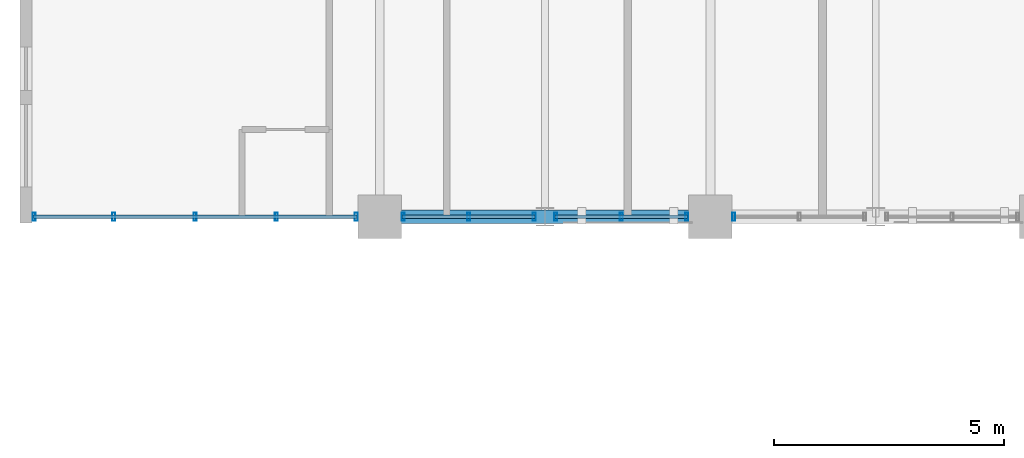
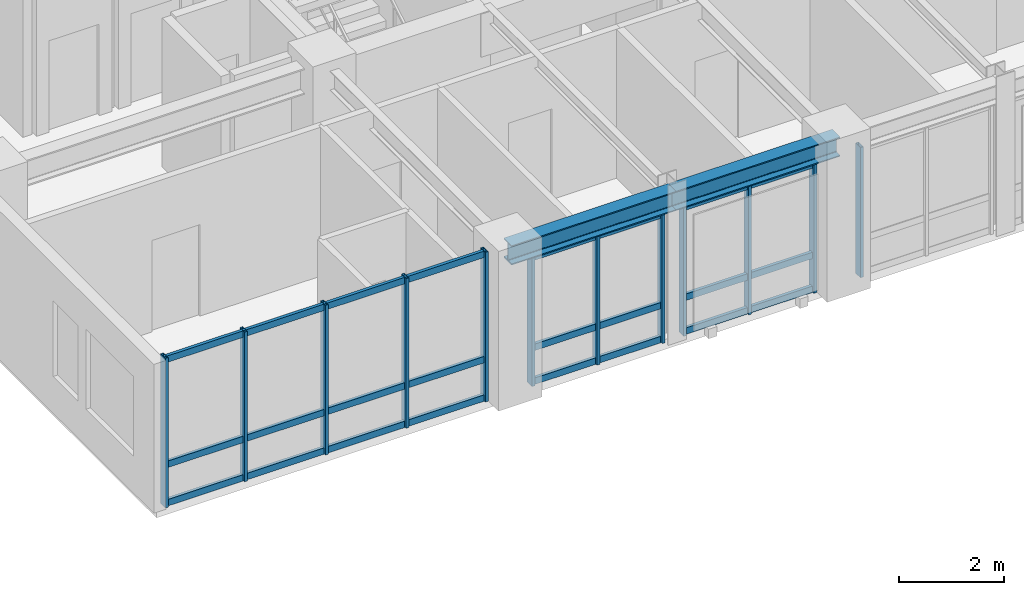
# One storey, part 4 of 16: 21 members, 2 beams, 4 elements without a shape of their own.
"""IFC4 building model written with IfcOpenShell, lengths in metres."""

from ifc_helpers import new_model, si_unit, direction, frame, origin, origin_2d, place, context, subcontext, project, spatial, hollow_rectangle, i_section, extrude, source, transform, mapped, material, layer, layer_set, material_profile, profile_set, type_object, element, aggregate, save


model = new_model("IFC4")

# Units and contexts
model_context = context("Model", 3, precision=1e-05, world=origin(), true_north=direction((0.0, 1.0)))
body_context = subcontext(model_context, "Body", "Model", "MODEL_VIEW")
ifc_project = project(units=[si_unit("LENGTHUNIT", "METRE"), si_unit("AREAUNIT", "SQUARE_METRE"), si_unit("VOLUMEUNIT", "CUBIC_METRE"), si_unit("PLANEANGLEUNIT", "RADIAN"), si_unit("MASSUNIT", "GRAM", prefix="KILO")], contexts=[model_context])

# Site, building, storey
site_placement = place(None, origin())
site = spatial("IfcSite", under=ifc_project, at=site_placement, CompositionType="ELEMENT")
building_placement = place(site_placement, origin())
building = spatial("IfcBuilding", under=site, at=building_placement, Name="Kaliganga Portal Commons", CompositionType="ELEMENT")
storey_placement = place(building_placement, frame((0.0, 0.0, 205.5)))
storey = spatial("IfcBuildingStorey", under=building, at=storey_placement, Name="L52", CompositionType="ELEMENT", Elevation=205.5)

# Beams
ifc_material_1 = material(Name="Structural steel S355J2", Category="steel")
ifc_material_profile_1 = material_profile(ifc_material_1, i_section(OverallWidth=0.300048828125, OverallDepth=0.449951171875, WebThickness=0.013916015625, FlangeThickness=0.02587890625, FilletRadius=0.027099609375, at=origin_2d()), Name="HE 450 B")
ifc_profile_set_1 = profile_set([ifc_material_profile_1], Name="Structural steel S355J2 wide-flange")
beam_type = type_object("IfcBeamType", Name="BM-SPAND-450", PredefinedType="SPANDREL", material=ifc_profile_set_1)
shared_shape_1 = source(origin(), body_context, "Body", "SweptSolid", [
    extrude(i_section(OverallWidth=0.300048828125, OverallDepth=0.449951171875, WebThickness=0.013916015625, FlangeThickness=0.02587890625, FilletRadius=0.027099609375, at=origin_2d()), origin(), (0.0, 0.0, 1.0), 3.60009765625),
])
for number, where, z_axis, x_axis, name in (
    (1, (14.39990234375, 21.60009765625, 3.2451171875), (1.0, 0.0, 0.0), (0.0, 1.0, 0.0), "BM SP L52 AS 1"),
    (2, (18.0, 21.60009765625, 3.2451171875), (1.0, 0.0, 0.0), (0.0, 1.0, 0.0), "BM SP L52 AS 2"),
):
    element("IfcBeam", number, at=place(storey_placement, frame(where, z_axis=z_axis, x_axis=x_axis)), inside=storey, type_object=beam_type, Name=name, PredefinedType="SPANDREL", context=body_context, shape_type="MappedRepresentation", body=[
        mapped(shared_shape_1, transform((0.0, 0.0, 0.0), x_axis=(1.0, 0.0, 0.0), y_axis=(0.0, 1.0, 0.0), z_axis=(0.0, 0.0, 1.0), scale=1.0)),
    ])

# Curtain wall, members
ifc_material_2 = material(Name="Anodized Aluminium and Laminated Low-E Glass", Category="aluminium")
ifc_layer = layer(ifc_material_2, 0.2099609375)
ifc_layer_set = layer_set([ifc_layer], Name="Anodized Aluminium and Laminated Low-E Glass")
curtain_wall_type = type_object("IfcCurtainWallType", Name="CW-SYS-03", PredefinedType="NOTDEFINED", material=ifc_layer_set)
curtain_wall_1_placement = place(storey_placement, origin())
curtain_wall_1 = element("IfcCurtainWall", 3, at=curtain_wall_1_placement, inside=storey, type_object=curtain_wall_type, Name="CW 03 L52 P1E04S1", PredefinedType="NOTDEFINED")
ifc_material_3 = material(Name="Dark Bronze Anodized Aluminium", Category="aluminium")
ifc_material_profile_2 = material_profile(ifc_material_3, hollow_rectangle(XDim=0.06494140625, YDim=0.179931640625, WallThickness=0.00390625, at=origin_2d()), Name="ALU MULL 65x180x4")
ifc_profile_set_2 = profile_set([ifc_material_profile_2], Name="Dark Bronze Anodized Aluminium")
member_type_1 = type_object("IfcMemberType", Name="CW-MUL-180", PredefinedType="MULLION", material=ifc_profile_set_2)
shared_shape_2 = source(origin(), body_context, "Body", "SweptSolid", [
    extrude(hollow_rectangle(XDim=0.06494140625, YDim=0.179931640625, WallThickness=0.00390625, at=origin_2d()), origin(), (0.0, 0.0, 1.0), 3.469970703125),
])
member_1_placement = place(storey_placement, frame((6.875, 21.60009765625, 0.0), z_axis=(0.0, 0.0, 1.0), x_axis=(1.0, 0.0, 0.0)))
member_1 = element("IfcMember", 4, at=member_1_placement, type_object=member_type_1, Name="CW:03:L52:P1E04S1 Mullion 00", PredefinedType="MULLION", context=body_context, shape_type="MappedRepresentation", body=[
    mapped(shared_shape_2, transform((0.0, 0.0, 0.0), x_axis=(1.0, 0.0, 0.0), y_axis=(0.0, 1.0, 0.0), z_axis=(0.0, 0.0, 1.0), scale=1.0)),
])
member_2_placement = place(storey_placement, frame((8.611083984375, 21.60009765625, 0.0), z_axis=(0.0, 0.0, 1.0), x_axis=(1.0, 0.0, 0.0)))
member_2 = element("IfcMember", 5, at=member_2_placement, type_object=member_type_1, Name="CW:03:L52:P1E04S1 Mullion 01", PredefinedType="MULLION", context=body_context, shape_type="MappedRepresentation", body=[
    mapped(shared_shape_2, transform((0.0, 0.0, 0.0), x_axis=(1.0, 0.0, 0.0), y_axis=(0.0, 1.0, 0.0), z_axis=(0.0, 0.0, 1.0), scale=1.0)),
])
member_3_placement = place(storey_placement, frame((10.382080078125, 21.60009765625, 0.0), z_axis=(0.0, 0.0, 1.0), x_axis=(1.0, 0.0, 0.0)))
member_3 = element("IfcMember", 6, at=member_3_placement, type_object=member_type_1, Name="CW:03:L52:P1E04S1 Mullion 02", PredefinedType="MULLION", context=body_context, shape_type="MappedRepresentation", body=[
    mapped(shared_shape_2, transform((0.0, 0.0, 0.0), x_axis=(1.0, 0.0, 0.0), y_axis=(0.0, 1.0, 0.0), z_axis=(0.0, 0.0, 1.0), scale=1.0)),
])
member_4_placement = place(storey_placement, frame((12.153076171875, 21.60009765625, 0.0), z_axis=(0.0, 0.0, 1.0), x_axis=(1.0, 0.0, 0.0)))
member_4 = element("IfcMember", 7, at=member_4_placement, type_object=member_type_1, Name="CW:03:L52:P1E04S1 Mullion 03", PredefinedType="MULLION", context=body_context, shape_type="MappedRepresentation", body=[
    mapped(shared_shape_2, transform((0.0, 0.0, 0.0), x_axis=(1.0, 0.0, 0.0), y_axis=(0.0, 1.0, 0.0), z_axis=(0.0, 0.0, 1.0), scale=1.0)),
])
member_5_placement = place(storey_placement, frame((13.888916015625, 21.60009765625, 0.0), z_axis=(0.0, 0.0, 1.0), x_axis=(1.0, 0.0, 0.0)))
member_5 = element("IfcMember", 8, at=member_5_placement, type_object=member_type_1, Name="CW:03:L52:P1E04S1 Mullion 04", PredefinedType="MULLION", context=body_context, shape_type="MappedRepresentation", body=[
    mapped(shared_shape_2, transform((0.0, 0.0, 0.0), x_axis=(1.0, 0.0, 0.0), y_axis=(0.0, 1.0, 0.0), z_axis=(0.0, 0.0, 1.0), scale=1.0)),
])
ifc_material_profile_3 = material_profile(ifc_material_3, hollow_rectangle(XDim=0.070068359375, YDim=0.14990234375, WallThickness=0.00341796875, at=origin_2d()), Name="ALU TRAN 70x150x3.5")
ifc_profile_set_3 = profile_set([ifc_material_profile_3], Name="Dark Bronze Anodized Aluminium")
member_type_2 = type_object("IfcMemberType", Name="CW-TRN-150", PredefinedType="USERDEFINED", material=ifc_profile_set_3)
shared_shape_3 = source(origin(), body_context, "Body", "SweptSolid", [
    extrude(hollow_rectangle(XDim=0.070068359375, YDim=0.14990234375, WallThickness=0.00341796875, at=origin_2d()), origin(), (0.0, 0.0, 1.0), 7.0439453125),
])
member_6_placement = place(storey_placement, frame((6.860107421875, 21.60009765625, 0.06005859375), z_axis=(1.0, 0.0, 0.0), x_axis=(0.0, 1.0, 0.0)))
member_6 = element("IfcMember", 9, at=member_6_placement, type_object=member_type_2, Name="CW:03:L52:P1E04S1 Transom 1", ObjectType="TRANSOM", PredefinedType="USERDEFINED", context=body_context, shape_type="MappedRepresentation", body=[
    mapped(shared_shape_3, transform((0.0, 0.0, 0.0), x_axis=(1.0, 0.0, 0.0), y_axis=(0.0, 1.0, 0.0), z_axis=(0.0, 0.0, 1.0), scale=1.0)),
])
member_7_placement = place(storey_placement, frame((6.860107421875, 21.60009765625, 0.949951171875), z_axis=(1.0, 0.0, 0.0), x_axis=(0.0, 1.0, 0.0)))
member_7 = element("IfcMember", 10, at=member_7_placement, type_object=member_type_2, Name="CW:03:L52:P1E04S1 Transom 2", ObjectType="TRANSOM", PredefinedType="USERDEFINED", context=body_context, shape_type="MappedRepresentation", body=[
    mapped(shared_shape_3, transform((0.0, 0.0, 0.0), x_axis=(1.0, 0.0, 0.0), y_axis=(0.0, 1.0, 0.0), z_axis=(0.0, 0.0, 1.0), scale=1.0)),
])
member_8_placement = place(storey_placement, frame((6.860107421875, 21.60009765625, 3.389892578125), z_axis=(1.0, 0.0, 0.0), x_axis=(0.0, 1.0, 0.0)))
member_8 = element("IfcMember", 11, at=member_8_placement, type_object=member_type_2, Name="CW:03:L52:P1E04S1 Transom 3", ObjectType="TRANSOM", PredefinedType="USERDEFINED", context=body_context, shape_type="MappedRepresentation", body=[
    mapped(shared_shape_3, transform((0.0, 0.0, 0.0), x_axis=(1.0, 0.0, 0.0), y_axis=(0.0, 1.0, 0.0), z_axis=(0.0, 0.0, 1.0), scale=1.0)),
])
aggregate(curtain_wall_1, [member_1, member_2, member_3, member_4, member_5, member_6, member_7, member_8])

curtain_wall_2_placement = place(storey_placement, origin())
curtain_wall_2 = element("IfcCurtainWall", 12, at=curtain_wall_2_placement, inside=storey, type_object=curtain_wall_type, Name="CW 03 L52 P1E04S2", PredefinedType="NOTDEFINED")
shared_shape_4 = source(origin(), body_context, "Body", "SweptSolid", [
    extrude(hollow_rectangle(XDim=0.06494140625, YDim=0.179931640625, WallThickness=0.00390625, at=origin_2d()), origin(), (0.0, 0.0, 1.0), 3.02001953125),
])
member_9_placement = place(storey_placement, frame((14.910888671875, 21.60009765625, 0.0), z_axis=(0.0, 0.0, 1.0), x_axis=(1.0, 0.0, 0.0)))
member_9 = element("IfcMember", 13, at=member_9_placement, type_object=member_type_1, Name="CW:03:L52:P1E04S2 Mullion 00", PredefinedType="MULLION", context=body_context, shape_type="MappedRepresentation", body=[
    mapped(shared_shape_4, transform((0.0, 0.0, 0.0), x_axis=(1.0, 0.0, 0.0), y_axis=(0.0, 1.0, 0.0), z_axis=(0.0, 0.0, 1.0), scale=1.0)),
])
member_10_placement = place(storey_placement, frame((16.337646484375, 21.60009765625, 0.0), z_axis=(0.0, 0.0, 1.0), x_axis=(1.0, 0.0, 0.0)))
member_10 = element("IfcMember", 14, at=member_10_placement, type_object=member_type_1, Name="CW:03:L52:P1E04S2 Mullion 01", PredefinedType="MULLION", context=body_context, shape_type="MappedRepresentation", body=[
    mapped(shared_shape_4, transform((0.0, 0.0, 0.0), x_axis=(1.0, 0.0, 0.0), y_axis=(0.0, 1.0, 0.0), z_axis=(0.0, 0.0, 1.0), scale=1.0)),
])
member_11_placement = place(storey_placement, frame((17.764404296875, 21.60009765625, 0.0), z_axis=(0.0, 0.0, 1.0), x_axis=(1.0, 0.0, 0.0)))
member_11 = element("IfcMember", 15, at=member_11_placement, type_object=member_type_1, Name="CW:03:L52:P1E04S2 Mullion 02", PredefinedType="MULLION", context=body_context, shape_type="MappedRepresentation", body=[
    mapped(shared_shape_4, transform((0.0, 0.0, 0.0), x_axis=(1.0, 0.0, 0.0), y_axis=(0.0, 1.0, 0.0), z_axis=(0.0, 0.0, 1.0), scale=1.0)),
])

curtain_wall_3_placement = place(storey_placement, origin())
curtain_wall_3 = element("IfcCurtainWall", 16, at=curtain_wall_3_placement, inside=storey, type_object=curtain_wall_type, Name="CW 03 L52 P1E04S3", PredefinedType="NOTDEFINED")
member_12_placement = place(storey_placement, frame((18.235595703125, 21.60009765625, 0.0), z_axis=(0.0, 0.0, 1.0), x_axis=(1.0, 0.0, 0.0)))
member_12 = element("IfcMember", 17, at=member_12_placement, type_object=member_type_1, Name="CW:03:L52:P1E04S3 Mullion 00", PredefinedType="MULLION", context=body_context, shape_type="MappedRepresentation", body=[
    mapped(shared_shape_4, transform((0.0, 0.0, 0.0), x_axis=(1.0, 0.0, 0.0), y_axis=(0.0, 1.0, 0.0), z_axis=(0.0, 0.0, 1.0), scale=1.0)),
])
member_13_placement = place(storey_placement, frame((19.662353515625, 21.60009765625, 0.0), z_axis=(0.0, 0.0, 1.0), x_axis=(1.0, 0.0, 0.0)))
member_13 = element("IfcMember", 18, at=member_13_placement, type_object=member_type_1, Name="CW:03:L52:P1E04S3 Mullion 01", PredefinedType="MULLION", context=body_context, shape_type="MappedRepresentation", body=[
    mapped(shared_shape_4, transform((0.0, 0.0, 0.0), x_axis=(1.0, 0.0, 0.0), y_axis=(0.0, 1.0, 0.0), z_axis=(0.0, 0.0, 1.0), scale=1.0)),
])
member_14_placement = place(storey_placement, frame((21.089111328125, 21.60009765625, 0.0), z_axis=(0.0, 0.0, 1.0), x_axis=(1.0, 0.0, 0.0)))
member_14 = element("IfcMember", 19, at=member_14_placement, type_object=member_type_1, Name="CW:03:L52:P1E04S3 Mullion 02", PredefinedType="MULLION", context=body_context, shape_type="MappedRepresentation", body=[
    mapped(shared_shape_4, transform((0.0, 0.0, 0.0), x_axis=(1.0, 0.0, 0.0), y_axis=(0.0, 1.0, 0.0), z_axis=(0.0, 0.0, 1.0), scale=1.0)),
])

# Curtain wall, member
curtain_wall_4_placement = place(storey_placement, origin())
curtain_wall_4 = element("IfcCurtainWall", 20, at=curtain_wall_4_placement, inside=storey, type_object=curtain_wall_type, Name="CW 03 L52 P1E04S4", PredefinedType="NOTDEFINED")
member_15_placement = place(storey_placement, frame((22.111083984375, 21.60009765625, 0.0), z_axis=(0.0, 0.0, 1.0), x_axis=(1.0, 0.0, 0.0)))
member_15 = element("IfcMember", 21, at=member_15_placement, type_object=member_type_1, Name="CW:03:L52:P1E04S4 Mullion 00", PredefinedType="MULLION", context=body_context, shape_type="MappedRepresentation", body=[
    mapped(shared_shape_4, transform((0.0, 0.0, 0.0), x_axis=(1.0, 0.0, 0.0), y_axis=(0.0, 1.0, 0.0), z_axis=(0.0, 0.0, 1.0), scale=1.0)),
])
aggregate(curtain_wall_4, [member_15])

# Member
shared_shape_5 = source(origin(), body_context, "Body", "SweptSolid", [
    extrude(hollow_rectangle(XDim=0.070068359375, YDim=0.14990234375, WallThickness=0.00341796875, at=origin_2d()), origin(), (0.0, 0.0, 1.0), 2.883544921875),
])
member_16_placement = place(storey_placement, frame((14.89599609375, 21.60009765625, 0.06005859375), z_axis=(1.0, 0.0, 0.0), x_axis=(0.0, 1.0, 0.0)))
member_16 = element("IfcMember", 22, at=member_16_placement, type_object=member_type_2, Name="CW:03:L52:P1E04S2 Transom 1", ObjectType="TRANSOM", PredefinedType="USERDEFINED", context=body_context, shape_type="MappedRepresentation", body=[
    mapped(shared_shape_5, transform((0.0, 0.0, 0.0), x_axis=(1.0, 0.0, 0.0), y_axis=(0.0, 1.0, 0.0), z_axis=(0.0, 0.0, 1.0), scale=1.0)),
])

member_17_placement = place(storey_placement, frame((14.89599609375, 21.60009765625, 0.845703125), z_axis=(1.0, 0.0, 0.0), x_axis=(0.0, 1.0, 0.0)))
member_17 = element("IfcMember", 23, at=member_17_placement, type_object=member_type_2, Name="CW:03:L52:P1E04S2 Transom 2", ObjectType="TRANSOM", PredefinedType="USERDEFINED", context=body_context, shape_type="MappedRepresentation", body=[
    mapped(shared_shape_5, transform((0.0, 0.0, 0.0), x_axis=(1.0, 0.0, 0.0), y_axis=(0.0, 1.0, 0.0), z_axis=(0.0, 0.0, 1.0), scale=1.0)),
])

member_18_placement = place(storey_placement, frame((14.89599609375, 21.60009765625, 2.93994140625), z_axis=(1.0, 0.0, 0.0), x_axis=(0.0, 1.0, 0.0)))
member_18 = element("IfcMember", 24, at=member_18_placement, type_object=member_type_2, Name="CW:03:L52:P1E04S2 Transom 3", ObjectType="TRANSOM", PredefinedType="USERDEFINED", context=body_context, shape_type="MappedRepresentation", body=[
    mapped(shared_shape_5, transform((0.0, 0.0, 0.0), x_axis=(1.0, 0.0, 0.0), y_axis=(0.0, 1.0, 0.0), z_axis=(0.0, 0.0, 1.0), scale=1.0)),
])

aggregate(curtain_wall_2, [member_9, member_10, member_11, member_16, member_17, member_18])

member_19_placement = place(storey_placement, frame((18.220458984375, 21.60009765625, 0.06005859375), z_axis=(1.0, 0.0, 0.0), x_axis=(0.0, 1.0, 0.0)))
member_19 = element("IfcMember", 25, at=member_19_placement, type_object=member_type_2, Name="CW:03:L52:P1E04S3 Transom 1", ObjectType="TRANSOM", PredefinedType="USERDEFINED", context=body_context, shape_type="MappedRepresentation", body=[
    mapped(shared_shape_5, transform((0.0, 0.0, 0.0), x_axis=(1.0, 0.0, 0.0), y_axis=(0.0, 1.0, 0.0), z_axis=(0.0, 0.0, 1.0), scale=1.0)),
])

member_20_placement = place(storey_placement, frame((18.220458984375, 21.60009765625, 0.845703125), z_axis=(1.0, 0.0, 0.0), x_axis=(0.0, 1.0, 0.0)))
member_20 = element("IfcMember", 26, at=member_20_placement, type_object=member_type_2, Name="CW:03:L52:P1E04S3 Transom 2", ObjectType="TRANSOM", PredefinedType="USERDEFINED", context=body_context, shape_type="MappedRepresentation", body=[
    mapped(shared_shape_5, transform((0.0, 0.0, 0.0), x_axis=(1.0, 0.0, 0.0), y_axis=(0.0, 1.0, 0.0), z_axis=(0.0, 0.0, 1.0), scale=1.0)),
])

member_21_placement = place(storey_placement, frame((18.220458984375, 21.60009765625, 2.93994140625), z_axis=(1.0, 0.0, 0.0), x_axis=(0.0, 1.0, 0.0)))
member_21 = element("IfcMember", 27, at=member_21_placement, type_object=member_type_2, Name="CW:03:L52:P1E04S3 Transom 3", ObjectType="TRANSOM", PredefinedType="USERDEFINED", context=body_context, shape_type="MappedRepresentation", body=[
    mapped(shared_shape_5, transform((0.0, 0.0, 0.0), x_axis=(1.0, 0.0, 0.0), y_axis=(0.0, 1.0, 0.0), z_axis=(0.0, 0.0, 1.0), scale=1.0)),
])

aggregate(curtain_wall_3, [member_12, member_13, member_14, member_19, member_20, member_21])

save(model, "model.ifc")
